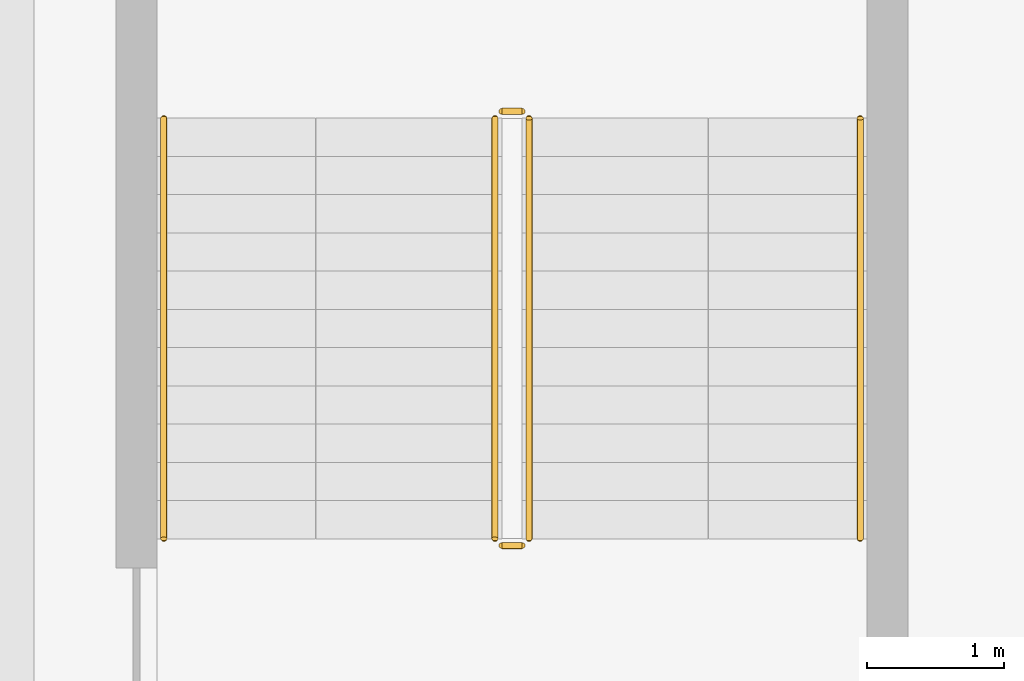
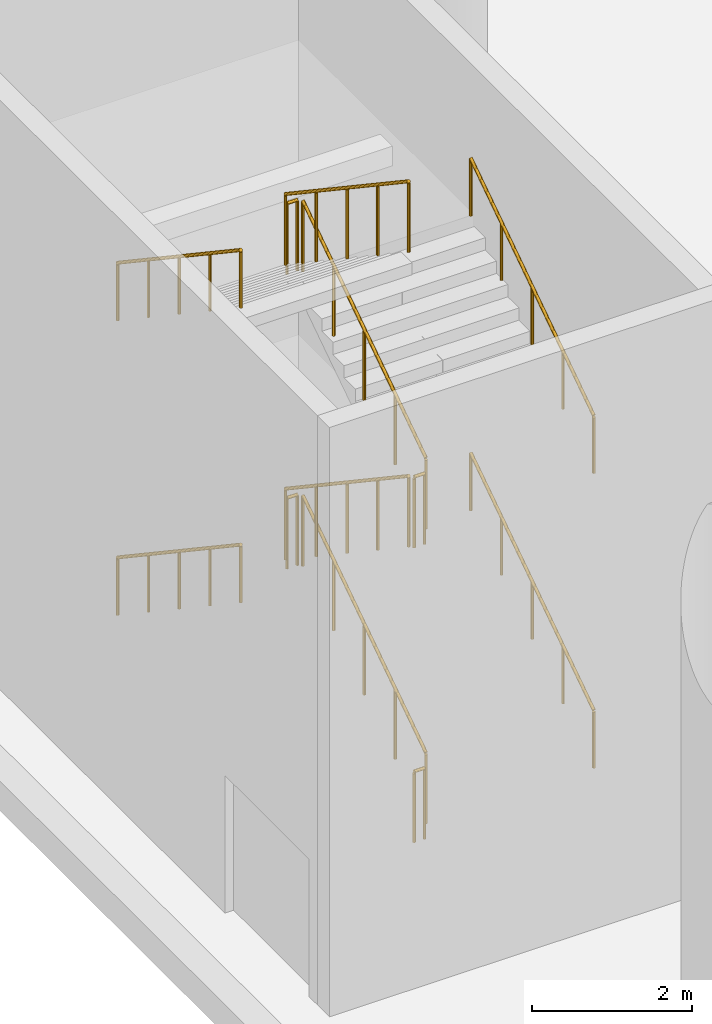
# One storey, part 30 of 37: 12 railings.
"""IFC4 building model written with IfcOpenShell, lengths in metres."""

from ifc_helpers import new_model, si_unit, direction, frame, origin, origin_2d, place, context, subcontext, project, spatial, circle, extrude, material, type_object, element, save


model = new_model("IFC4")

# Units and contexts
model_context = context("Model", 3, precision=1e-05, world=origin(), true_north=direction((0.0, 1.0)))
body_context = subcontext(model_context, "Body", "Model", "MODEL_VIEW")
ifc_project = project(units=[si_unit("LENGTHUNIT", "METRE"), si_unit("AREAUNIT", "SQUARE_METRE"), si_unit("VOLUMEUNIT", "CUBIC_METRE"), si_unit("PLANEANGLEUNIT", "RADIAN"), si_unit("MASSUNIT", "GRAM", prefix="KILO")], contexts=[model_context])

# Site, building, storey
site_placement = place(None, origin())
site = spatial("IfcSite", under=ifc_project, at=site_placement, CompositionType="ELEMENT")
building_placement = place(site_placement, origin())
building = spatial("IfcBuilding", under=site, at=building_placement, Name="Tel Ilan Convention Tower", CompositionType="ELEMENT")
storey_placement = place(building_placement, origin())
storey = spatial("IfcBuildingStorey", under=building, at=storey_placement, Name="L00", CompositionType="ELEMENT", Elevation=0.0)

# Railings
ifc_material_1 = material(Name="Stainless Steel Grade 316", Category="steel")
railing_type_1 = type_object("IfcRailingType", Name="Stainless Steel Stair Guard 1100 mm", PredefinedType="GUARDRAIL", material=ifc_material_1)
railing_1_placement = place(storey_placement, frame((-46.375, -40.47509765625, 0.1875)))
element("IfcRailing", 1, at=railing_1_placement, inside=storey, type_object=railing_type_1, Name="L00 P7 stair guard 1", PredefinedType="GUARDRAIL", context=body_context, shape_type="SweptSolid", body=[
    extrude(circle(Radius=0.02392578125, at=origin_2d()), frame((0.0, 0.0, 1.076171875), z_axis=(0.0, 0.830913701846, 0.55640131208), x_axis=(-1.0, 0.0, 0.0)), (0.0, 0.0, 1.0), 3.706787109375),
    extrude(circle(Radius=0.02099609375, at=origin_2d()), origin(), (0.0, 0.0, 1.0), 1.052001953125),
    extrude(circle(Radius=0.02099609375, at=origin_2d()), frame((0.0, 0.77001953125, 0.515625)), (0.0, 0.0, 1.0), 1.052001953125),
    extrude(circle(Radius=0.02099609375, at=origin_2d()), frame((0.0, 1.5400390625, 1.03125)), (0.0, 0.0, 1.0), 1.052001953125),
    extrude(circle(Radius=0.02099609375, at=origin_2d()), frame((0.0, 2.31005859375, 1.546875)), (0.0, 0.0, 1.0), 1.052001953125),
    extrude(circle(Radius=0.02099609375, at=origin_2d()), frame((0.0, 3.080078125, 2.0625)), (0.0, 0.0, 1.0), 1.052001953125),
])
railing_2_placement = place(storey_placement, frame((-46.425048828125, -37.344970703125, 2.25)))
element("IfcRailing", 2, at=railing_2_placement, inside=storey, type_object=railing_type_1, Name="L00 P7 stair guard 2", PredefinedType="GUARDRAIL", context=body_context, shape_type="SweptSolid", body=[
    extrude(circle(Radius=0.02392578125, at=origin_2d()), frame((0.0, 0.0, 1.076171875), z_axis=(-1.0, 0.0, 0.0), x_axis=(0.0, -1.0, 0.0)), (0.0, 0.0, 1.0), 0.14990234375),
    extrude(circle(Radius=0.02099609375, at=origin_2d()), origin(), (0.0, 0.0, 1.0), 1.052001953125),
    extrude(circle(Radius=0.02099609375, at=origin_2d()), frame((-0.14990234375, 0.0, 0.0)), (0.0, 0.0, 1.0), 1.052001953125),
])
railing_3_placement = place(storey_placement, frame((-46.625, -37.39501953125, 2.4375)))
element("IfcRailing", 3, at=railing_3_placement, inside=storey, type_object=railing_type_1, Name="L00 P7 stair guard 3", PredefinedType="GUARDRAIL", context=body_context, shape_type="SweptSolid", body=[
    extrude(circle(Radius=0.02392578125, at=origin_2d()), frame((0.0, 0.0, 1.076171875), z_axis=(0.0, -0.830913701846, 0.55640131208), x_axis=(1.0, 0.0, 0.0)), (0.0, 0.0, 1.0), 3.706787109375),
    extrude(circle(Radius=0.02099609375, at=origin_2d()), origin(), (0.0, 0.0, 1.0), 1.052001953125),
    extrude(circle(Radius=0.02099609375, at=origin_2d()), frame((0.0, -0.77001953125, 0.515625)), (0.0, 0.0, 1.0), 1.052001953125),
    extrude(circle(Radius=0.02099609375, at=origin_2d()), frame((0.0, -1.5400390625, 1.03125)), (0.0, 0.0, 1.0), 1.052001953125),
    extrude(circle(Radius=0.02099609375, at=origin_2d()), frame((0.0, -2.31005859375, 1.546875)), (0.0, 0.0, 1.0), 1.052001953125),
    extrude(circle(Radius=0.02099609375, at=origin_2d()), frame((0.0, -3.080078125, 2.0625)), (0.0, 0.0, 1.0), 1.052001953125),
])
railing_4_placement = place(storey_placement, frame((-46.425048828125, -40.52490234375, 4.5)))
element("IfcRailing", 4, at=railing_4_placement, inside=storey, type_object=railing_type_1, Name="L00 P7 stair guard 4", PredefinedType="GUARDRAIL", context=body_context, shape_type="SweptSolid", body=[
    extrude(circle(Radius=0.02392578125, at=origin_2d()), frame((0.0, 0.0, 1.076171875), z_axis=(-1.0, 0.0, 0.0), x_axis=(0.0, -1.0, 0.0)), (0.0, 0.0, 1.0), 0.14990234375),
    extrude(circle(Radius=0.02099609375, at=origin_2d()), origin(), (0.0, 0.0, 1.0), 1.052001953125),
    extrude(circle(Radius=0.02099609375, at=origin_2d()), frame((-0.14990234375, 0.0, 0.0)), (0.0, 0.0, 1.0), 1.052001953125),
])
railing_5_placement = place(storey_placement, frame((-46.375, -40.47509765625, 4.6875)))
element("IfcRailing", 5, at=railing_5_placement, inside=storey, type_object=railing_type_1, Name="L00 P7 stair guard 5", PredefinedType="GUARDRAIL", context=body_context, shape_type="SweptSolid", body=[
    extrude(circle(Radius=0.02392578125, at=origin_2d()), frame((0.0, 0.0, 1.076171875), z_axis=(0.0, 0.830913701846, 0.55640131208), x_axis=(-1.0, 0.0, 0.0)), (0.0, 0.0, 1.0), 3.706787109375),
    extrude(circle(Radius=0.02099609375, at=origin_2d()), origin(), (0.0, 0.0, 1.0), 1.052001953125),
    extrude(circle(Radius=0.02099609375, at=origin_2d()), frame((0.0, 0.77001953125, 0.515625)), (0.0, 0.0, 1.0), 1.052001953125),
    extrude(circle(Radius=0.02099609375, at=origin_2d()), frame((0.0, 1.5400390625, 1.03125)), (0.0, 0.0, 1.0), 1.052001953125),
    extrude(circle(Radius=0.02099609375, at=origin_2d()), frame((0.0, 2.31005859375, 1.546875)), (0.0, 0.0, 1.0), 1.052001953125),
    extrude(circle(Radius=0.02099609375, at=origin_2d()), frame((0.0, 3.080078125, 2.0625)), (0.0, 0.0, 1.0), 1.052001953125),
])
railing_6_placement = place(storey_placement, frame((-46.425048828125, -37.344970703125, 6.75)))
element("IfcRailing", 6, at=railing_6_placement, inside=storey, type_object=railing_type_1, Name="L00 P7 stair guard 6", PredefinedType="GUARDRAIL", context=body_context, shape_type="SweptSolid", body=[
    extrude(circle(Radius=0.02392578125, at=origin_2d()), frame((0.0, 0.0, 1.076171875), z_axis=(-1.0, 0.0, 0.0), x_axis=(0.0, -1.0, 0.0)), (0.0, 0.0, 1.0), 0.14990234375),
    extrude(circle(Radius=0.02099609375, at=origin_2d()), origin(), (0.0, 0.0, 1.0), 1.052001953125),
    extrude(circle(Radius=0.02099609375, at=origin_2d()), frame((-0.14990234375, 0.0, 0.0)), (0.0, 0.0, 1.0), 1.052001953125),
])
railing_7_placement = place(storey_placement, frame((-46.625, -37.39501953125, 6.9375)))
element("IfcRailing", 7, at=railing_7_placement, inside=storey, type_object=railing_type_1, Name="L00 P7 stair guard 7", PredefinedType="GUARDRAIL", context=body_context, shape_type="SweptSolid", body=[
    extrude(circle(Radius=0.02392578125, at=origin_2d()), frame((0.0, 0.0, 1.076171875), z_axis=(0.0, -0.830913701846, 0.55640131208), x_axis=(1.0, 0.0, 0.0)), (0.0, 0.0, 1.0), 3.706787109375),
    extrude(circle(Radius=0.02099609375, at=origin_2d()), origin(), (0.0, 0.0, 1.0), 1.052001953125),
    extrude(circle(Radius=0.02099609375, at=origin_2d()), frame((0.0, -0.77001953125, 0.515625)), (0.0, 0.0, 1.0), 1.052001953125),
    extrude(circle(Radius=0.02099609375, at=origin_2d()), frame((0.0, -1.5400390625, 1.03125)), (0.0, 0.0, 1.0), 1.052001953125),
    extrude(circle(Radius=0.02099609375, at=origin_2d()), frame((0.0, -2.31005859375, 1.546875)), (0.0, 0.0, 1.0), 1.052001953125),
    extrude(circle(Radius=0.02099609375, at=origin_2d()), frame((0.0, -3.080078125, 2.0625)), (0.0, 0.0, 1.0), 1.052001953125),
])
railing_8_placement = place(storey_placement, frame((-46.425048828125, -40.52490234375, 0.0)))
element("IfcRailing", 8, at=railing_8_placement, inside=storey, type_object=railing_type_1, Name="L00 P7 stair guard 8", PredefinedType="GUARDRAIL", context=body_context, shape_type="SweptSolid", body=[
    extrude(circle(Radius=0.02392578125, at=origin_2d()), frame((0.0, 0.0, 1.076171875), z_axis=(-1.0, 0.0, 0.0), x_axis=(0.0, -1.0, 0.0)), (0.0, 0.0, 1.0), 0.14990234375),
    extrude(circle(Radius=0.02099609375, at=origin_2d()), origin(), (0.0, 0.0, 1.0), 1.052001953125),
    extrude(circle(Radius=0.02099609375, at=origin_2d()), frame((-0.14990234375, 0.0, 0.0)), (0.0, 0.0, 1.0), 1.052001953125),
])
ifc_material_2 = material(Name="Stainless Steel Grade 316", Category="steel")
railing_type_2 = type_object("IfcRailingType", Name="Stainless Steel Stair Handrail 900 mm", PredefinedType="HANDRAIL", material=ifc_material_2)
railing_9_placement = place(storey_placement, frame((-43.949951171875, -40.47509765625, 0.1875)))
element("IfcRailing", 9, at=railing_9_placement, inside=storey, type_object=railing_type_2, Name="L00 P7 stair handrail 1", PredefinedType="HANDRAIL", context=body_context, shape_type="SweptSolid", body=[
    extrude(circle(Radius=0.02392578125, at=origin_2d()), frame((0.0, 0.0, 0.8759765625), z_axis=(0.0, 0.830913701846, 0.55640131208), x_axis=(-1.0, 0.0, 0.0)), (0.0, 0.0, 1.0), 3.706787109375),
    extrude(circle(Radius=0.02099609375, at=origin_2d()), origin(), (0.0, 0.0, 1.0), 0.851806640625),
    extrude(circle(Radius=0.02099609375, at=origin_2d()), frame((0.0, 0.77001953125, 0.515625)), (0.0, 0.0, 1.0), 0.851806640625),
    extrude(circle(Radius=0.02099609375, at=origin_2d()), frame((0.0, 1.5400390625, 1.03125)), (0.0, 0.0, 1.0), 0.851806640625),
    extrude(circle(Radius=0.02099609375, at=origin_2d()), frame((0.0, 2.31005859375, 1.546875)), (0.0, 0.0, 1.0), 0.851806640625),
    extrude(circle(Radius=0.02099609375, at=origin_2d()), frame((0.0, 3.080078125, 2.0625)), (0.0, 0.0, 1.0), 0.851806640625),
])
railing_10_placement = place(storey_placement, frame((-49.050048828125, -37.39501953125, 2.4375)))
element("IfcRailing", 10, at=railing_10_placement, inside=storey, type_object=railing_type_2, Name="L00 P7 stair handrail 2", PredefinedType="HANDRAIL", context=body_context, shape_type="SweptSolid", body=[
    extrude(circle(Radius=0.02392578125, at=origin_2d()), frame((0.0, 0.0, 0.8759765625), z_axis=(0.0, -0.830913701846, 0.55640131208), x_axis=(1.0, 0.0, 0.0)), (0.0, 0.0, 1.0), 3.706787109375),
    extrude(circle(Radius=0.02099609375, at=origin_2d()), origin(), (0.0, 0.0, 1.0), 0.851806640625),
    extrude(circle(Radius=0.02099609375, at=origin_2d()), frame((0.0, -0.77001953125, 0.515625)), (0.0, 0.0, 1.0), 0.851806640625),
    extrude(circle(Radius=0.02099609375, at=origin_2d()), frame((0.0, -1.5400390625, 1.03125)), (0.0, 0.0, 1.0), 0.851806640625),
    extrude(circle(Radius=0.02099609375, at=origin_2d()), frame((0.0, -2.31005859375, 1.546875)), (0.0, 0.0, 1.0), 0.851806640625),
    extrude(circle(Radius=0.02099609375, at=origin_2d()), frame((0.0, -3.080078125, 2.0625)), (0.0, 0.0, 1.0), 0.851806640625),
])
railing_11_placement = place(storey_placement, frame((-43.949951171875, -40.47509765625, 4.6875)))
element("IfcRailing", 11, at=railing_11_placement, inside=storey, type_object=railing_type_2, Name="L00 P7 stair handrail 3", PredefinedType="HANDRAIL", context=body_context, shape_type="SweptSolid", body=[
    extrude(circle(Radius=0.02392578125, at=origin_2d()), frame((0.0, 0.0, 0.8759765625), z_axis=(0.0, 0.830913701846, 0.55640131208), x_axis=(-1.0, 0.0, 0.0)), (0.0, 0.0, 1.0), 3.706787109375),
    extrude(circle(Radius=0.02099609375, at=origin_2d()), origin(), (0.0, 0.0, 1.0), 0.851806640625),
    extrude(circle(Radius=0.02099609375, at=origin_2d()), frame((0.0, 0.77001953125, 0.515625)), (0.0, 0.0, 1.0), 0.851806640625),
    extrude(circle(Radius=0.02099609375, at=origin_2d()), frame((0.0, 1.5400390625, 1.03125)), (0.0, 0.0, 1.0), 0.851806640625),
    extrude(circle(Radius=0.02099609375, at=origin_2d()), frame((0.0, 2.31005859375, 1.546875)), (0.0, 0.0, 1.0), 0.851806640625),
    extrude(circle(Radius=0.02099609375, at=origin_2d()), frame((0.0, 3.080078125, 2.0625)), (0.0, 0.0, 1.0), 0.851806640625),
])
railing_12_placement = place(storey_placement, frame((-49.050048828125, -37.39501953125, 6.9375)))
element("IfcRailing", 12, at=railing_12_placement, inside=storey, type_object=railing_type_2, Name="L00 P7 stair handrail 4", PredefinedType="HANDRAIL", context=body_context, shape_type="SweptSolid", body=[
    extrude(circle(Radius=0.02392578125, at=origin_2d()), frame((0.0, 0.0, 0.8759765625), z_axis=(0.0, -0.830913701846, 0.55640131208), x_axis=(1.0, 0.0, 0.0)), (0.0, 0.0, 1.0), 3.706787109375),
    extrude(circle(Radius=0.02099609375, at=origin_2d()), origin(), (0.0, 0.0, 1.0), 0.851806640625),
    extrude(circle(Radius=0.02099609375, at=origin_2d()), frame((0.0, -0.77001953125, 0.515625)), (0.0, 0.0, 1.0), 0.851806640625),
    extrude(circle(Radius=0.02099609375, at=origin_2d()), frame((0.0, -1.5400390625, 1.03125)), (0.0, 0.0, 1.0), 0.851806640625),
    extrude(circle(Radius=0.02099609375, at=origin_2d()), frame((0.0, -2.31005859375, 1.546875)), (0.0, 0.0, 1.0), 0.851806640625),
    extrude(circle(Radius=0.02099609375, at=origin_2d()), frame((0.0, -3.080078125, 2.0625)), (0.0, 0.0, 1.0), 0.851806640625),
])

save(model, "model.ifc")
